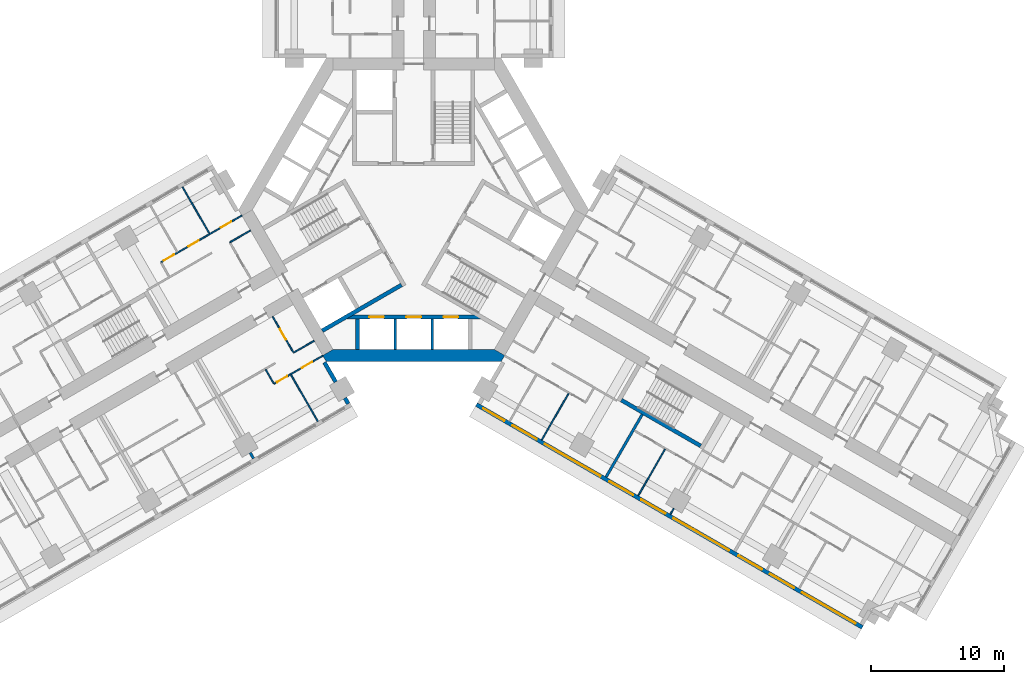
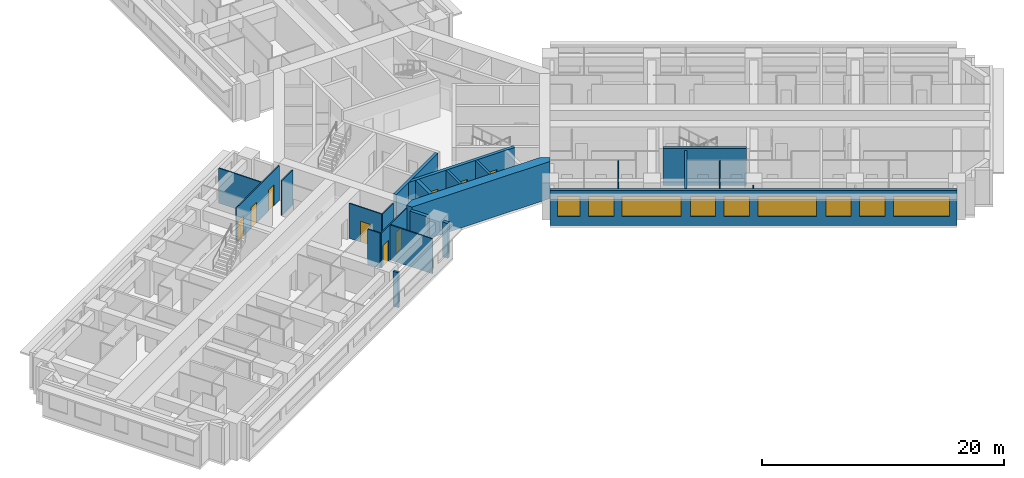
# One storey, part 6 of 16: 23 walls, 9 doors, 9 windows, 18 openings.
"""IFC4 building model written with IfcOpenShell, lengths in metres."""

from ifc_helpers import new_model, si_unit, direction, frame, frame_2d, origin, place, context, subcontext, project, spatial, polyline, rectangle, outline, extrude, material, layer, layer_set, type_object, element, fill, save


model = new_model("IFC4")

# Units and contexts
model_context = context("Model", 3, precision=1e-05, world=origin(), true_north=direction((0.0, 1.0)))
body_context = subcontext(model_context, "Body", "Model", "MODEL_VIEW")
ifc_project = project(units=[si_unit("LENGTHUNIT", "METRE"), si_unit("AREAUNIT", "SQUARE_METRE"), si_unit("VOLUMEUNIT", "CUBIC_METRE"), si_unit("PLANEANGLEUNIT", "RADIAN"), si_unit("MASSUNIT", "GRAM", prefix="KILO")], contexts=[model_context])

# Site, building, storey
site_placement = place(None, origin())
site = spatial("IfcSite", under=ifc_project, at=site_placement, CompositionType="ELEMENT")
building_placement = place(site_placement, origin())
building = spatial("IfcBuilding", under=site, at=building_placement, Name="Impinga Residences", CompositionType="ELEMENT")
storey_placement = place(building_placement, frame((0.0, 0.0, 71.0)))
storey = spatial("IfcBuildingStorey", under=building, at=storey_placement, Name="L17", CompositionType="ELEMENT", Elevation=71.0)

# Wall, openings, windows
ifc_material_1 = material(Name="Terracotta rainscreen on blockwork", Category="masonry")
ifc_layer_1 = layer(ifc_material_1, 0.300048828125)
ifc_layer_set_1 = layer_set([ifc_layer_1], Name="EW1 external wall, terracotta rainscreen on blockwork 300")
wall_type_1 = type_object("IfcWallType", Name="EW1 external wall, terracotta rainscreen on blockwork 300", PredefinedType="SOLIDWALL", material=ifc_layer_set_1)
wall_1_placement = place(storey_placement, frame((33.823486328125, -31.479248046875, 0.0), z_axis=(0.0, 0.0, 1.0), x_axis=(-0.866024291668, 0.500001926238, 0.0)))
wall_1 = element("IfcWall", 1, at=wall_1_placement, inside=storey, type_object=wall_type_1, Name="External wall EW1 L17", PredefinedType="SOLIDWALL", context=body_context, shape_type="SweptSolid", body=[
    extrude(rectangle(XDim=33.599853515625, YDim=0.300048828125, at=frame_2d((16.7998046875, 0.0))), origin(), (0.0, 0.0, 1.0), 3.530029296875),
])
opening_1_placement = place(wall_1_placement, frame((0.60009765625, 0.0, 0.89990234375)))
opening_1 = element("IfcOpeningElement", 2, at=opening_1_placement, cuts=wall_1, Name="Opening W10", PredefinedType="OPENING", context=body_context, shape_type="SweptSolid", body=[
    extrude(rectangle(XDim=4.64990234375, YDim=2.050048828125, at=frame_2d((2.324951171875, 1.02490234375))), frame((0.0, 0.159912109375, 0.0), z_axis=(0.0, -1.0, 0.0), x_axis=(1.0, 0.0, 0.0)), (0.0, 0.0, 1.0), 0.320068359375),
])
opening_2_placement = place(wall_1_placement, frame((5.949951171875, 0.0, 0.89990234375)))
opening_2 = element("IfcOpeningElement", 3, at=opening_2_placement, cuts=wall_1, Name="Opening W9", PredefinedType="OPENING", context=body_context, shape_type="SweptSolid", body=[
    extrude(rectangle(XDim=2.10009765625, YDim=2.050048828125, at=frame_2d((1.050048828125, 1.02490234375))), frame((0.0, 0.159912109375, 0.0), z_axis=(0.0, -1.0, 0.0), x_axis=(1.0, 0.0, 0.0)), (0.0, 0.0, 1.0), 0.320068359375),
])
opening_3_placement = place(wall_1_placement, frame((8.75, 0.0, 0.89990234375)))
opening_3 = element("IfcOpeningElement", 4, at=opening_3_placement, cuts=wall_1, Name="Opening W14", PredefinedType="OPENING", context=body_context, shape_type="SweptSolid", body=[
    extrude(rectangle(XDim=2.050048828125, YDim=2.050048828125, at=frame_2d((1.02490234375, 1.02490234375))), frame((0.0, 0.159912109375, 0.0), z_axis=(0.0, -1.0, 0.0), x_axis=(1.0, 0.0, 0.0)), (0.0, 0.0, 1.0), 0.320068359375),
])
opening_4_placement = place(wall_1_placement, frame((11.60009765625, 0.0, 0.89990234375)))
opening_4 = element("IfcOpeningElement", 5, at=opening_4_placement, cuts=wall_1, Name="Opening W6", PredefinedType="OPENING", context=body_context, shape_type="SweptSolid", body=[
    extrude(rectangle(XDim=4.85009765625, YDim=2.050048828125, at=frame_2d((2.425048828125, 1.02490234375))), frame((0.0, 0.159912109375, 0.0), z_axis=(0.0, -1.0, 0.0), x_axis=(1.0, 0.0, 0.0)), (0.0, 0.0, 1.0), 0.320068359375),
])
opening_5_placement = place(wall_1_placement, frame((17.14990234375, 0.0, 0.89990234375)))
opening_5 = element("IfcOpeningElement", 6, at=opening_5_placement, cuts=wall_1, Name="Opening W9", PredefinedType="OPENING", context=body_context, shape_type="SweptSolid", body=[
    extrude(rectangle(XDim=2.10009765625, YDim=2.050048828125, at=frame_2d((1.050048828125, 1.02490234375))), frame((0.0, 0.159912109375, 0.0), z_axis=(0.0, -1.0, 0.0), x_axis=(1.0, 0.0, 0.0)), (0.0, 0.0, 1.0), 0.320068359375),
])
opening_6_placement = place(wall_1_placement, frame((19.949951171875, 0.0, 0.89990234375)))
opening_6 = element("IfcOpeningElement", 7, at=opening_6_placement, cuts=wall_1, Name="Opening W14", PredefinedType="OPENING", context=body_context, shape_type="SweptSolid", body=[
    extrude(rectangle(XDim=2.050048828125, YDim=2.050048828125, at=frame_2d((1.02490234375, 1.02490234375))), frame((0.0, 0.159912109375, 0.0), z_axis=(0.0, -1.0, 0.0), x_axis=(1.0, 0.0, 0.0)), (0.0, 0.0, 1.0), 0.320068359375),
])
opening_7_placement = place(wall_1_placement, frame((22.800048828125, 0.0, 0.89990234375)))
opening_7 = element("IfcOpeningElement", 8, at=opening_7_placement, cuts=wall_1, Name="Opening W6", PredefinedType="OPENING", context=body_context, shape_type="SweptSolid", body=[
    extrude(rectangle(XDim=4.85009765625, YDim=2.050048828125, at=frame_2d((2.425048828125, 1.02490234375))), frame((0.0, 0.159912109375, 0.0), z_axis=(0.0, -1.0, 0.0), x_axis=(1.0, 0.0, 0.0)), (0.0, 0.0, 1.0), 0.320068359375),
])
opening_8_placement = place(wall_1_placement, frame((28.35009765625, 0.0, 0.89990234375)))
opening_8 = element("IfcOpeningElement", 9, at=opening_8_placement, cuts=wall_1, Name="Opening W9", PredefinedType="OPENING", context=body_context, shape_type="SweptSolid", body=[
    extrude(rectangle(XDim=2.10009765625, YDim=2.050048828125, at=frame_2d((1.050048828125, 1.02490234375))), frame((0.0, 0.159912109375, 0.0), z_axis=(0.0, -1.0, 0.0), x_axis=(1.0, 0.0, 0.0)), (0.0, 0.0, 1.0), 0.320068359375),
])
opening_9_placement = place(wall_1_placement, frame((31.14990234375, 0.0, 0.89990234375)))
opening_9 = element("IfcOpeningElement", 10, at=opening_9_placement, cuts=wall_1, Name="Opening W15", PredefinedType="OPENING", context=body_context, shape_type="SweptSolid", body=[
    extrude(rectangle(XDim=1.85009765625, YDim=2.050048828125, at=frame_2d((0.925048828125, 1.02490234375))), frame((0.0, 0.159912109375, 0.0), z_axis=(0.0, -1.0, 0.0), x_axis=(1.0, 0.0, 0.0)), (0.0, 0.0, 1.0), 0.320068359375),
])
ifc_material_2 = material(Name="Aluminium window, clear double glazing", Category="aluminium")
window_type_1 = type_object("IfcWindowType", Name="W10 ribbon window 4650x2050", PartitioningType="SINGLE_PANEL", PredefinedType="WINDOW", material=ifc_material_2)
window_1_placement = place(opening_1_placement, origin())
window_1 = element("IfcWindow", 11, at=window_1_placement, inside=storey, type_object=window_type_1, Name="Window L17", OverallHeight=2.050048828125, OverallWidth=4.64990234375, PartitioningType="SINGLE_PANEL", PredefinedType="WINDOW", context=body_context, shape_type="SweptSolid", body=[
    extrude(rectangle(XDim=4.64990234375, YDim=2.050048828125, at=frame_2d((2.324951171875, 1.02490234375))), frame((0.0, 0.030029296875, 0.0), z_axis=(0.0, -1.0, 0.0), x_axis=(1.0, 0.0, 0.0)), (0.0, 0.0, 1.0), 0.06005859375),
])
fill(opening_1, window_1)
window_type_2 = type_object("IfcWindowType", Name="W14 ribbon window 2050x2050", PartitioningType="SINGLE_PANEL", PredefinedType="WINDOW", material=ifc_material_2)
window_2_placement = place(opening_3_placement, origin())
window_2 = element("IfcWindow", 12, at=window_2_placement, inside=storey, type_object=window_type_2, Name="Window L17", OverallHeight=2.050048828125, OverallWidth=2.050048828125, PartitioningType="SINGLE_PANEL", PredefinedType="WINDOW", context=body_context, shape_type="SweptSolid", body=[
    extrude(rectangle(XDim=2.050048828125, YDim=2.050048828125, at=frame_2d((1.02490234375, 1.02490234375))), frame((0.0, 0.030029296875, 0.0), z_axis=(0.0, -1.0, 0.0), x_axis=(1.0, 0.0, 0.0)), (0.0, 0.0, 1.0), 0.06005859375),
])
fill(opening_3, window_2)
window_3_placement = place(opening_6_placement, origin())
window_3 = element("IfcWindow", 13, at=window_3_placement, inside=storey, type_object=window_type_2, Name="Window L17", OverallHeight=2.050048828125, OverallWidth=2.050048828125, PartitioningType="SINGLE_PANEL", PredefinedType="WINDOW", context=body_context, shape_type="SweptSolid", body=[
    extrude(rectangle(XDim=2.050048828125, YDim=2.050048828125, at=frame_2d((1.02490234375, 1.02490234375))), frame((0.0, 0.030029296875, 0.0), z_axis=(0.0, -1.0, 0.0), x_axis=(1.0, 0.0, 0.0)), (0.0, 0.0, 1.0), 0.06005859375),
])
fill(opening_6, window_3)
window_type_3 = type_object("IfcWindowType", Name="W15 ribbon window 1850x2050", PartitioningType="SINGLE_PANEL", PredefinedType="WINDOW", material=ifc_material_2)
window_4_placement = place(opening_9_placement, origin())
window_4 = element("IfcWindow", 14, at=window_4_placement, inside=storey, type_object=window_type_3, Name="Window L17", OverallHeight=2.050048828125, OverallWidth=1.85009765625, PartitioningType="SINGLE_PANEL", PredefinedType="WINDOW", context=body_context, shape_type="SweptSolid", body=[
    extrude(rectangle(XDim=1.85009765625, YDim=2.050048828125, at=frame_2d((0.925048828125, 1.02490234375))), frame((0.0, 0.030029296875, 0.0), z_axis=(0.0, -1.0, 0.0), x_axis=(1.0, 0.0, 0.0)), (0.0, 0.0, 1.0), 0.06005859375),
])
fill(opening_9, window_4)
window_type_4 = type_object("IfcWindowType", Name="W6 ribbon window 4850x2050", PartitioningType="SINGLE_PANEL", PredefinedType="WINDOW", material=ifc_material_2)
window_5_placement = place(opening_4_placement, origin())
window_5 = element("IfcWindow", 15, at=window_5_placement, inside=storey, type_object=window_type_4, Name="Window L17", OverallHeight=2.050048828125, OverallWidth=4.85009765625, PartitioningType="SINGLE_PANEL", PredefinedType="WINDOW", context=body_context, shape_type="SweptSolid", body=[
    extrude(rectangle(XDim=4.85009765625, YDim=2.050048828125, at=frame_2d((2.425048828125, 1.02490234375))), frame((0.0, 0.030029296875, 0.0), z_axis=(0.0, -1.0, 0.0), x_axis=(1.0, 0.0, 0.0)), (0.0, 0.0, 1.0), 0.06005859375),
])
fill(opening_4, window_5)
window_6_placement = place(opening_7_placement, origin())
window_6 = element("IfcWindow", 16, at=window_6_placement, inside=storey, type_object=window_type_4, Name="Window L17", OverallHeight=2.050048828125, OverallWidth=4.85009765625, PartitioningType="SINGLE_PANEL", PredefinedType="WINDOW", context=body_context, shape_type="SweptSolid", body=[
    extrude(rectangle(XDim=4.85009765625, YDim=2.050048828125, at=frame_2d((2.425048828125, 1.02490234375))), frame((0.0, 0.030029296875, 0.0), z_axis=(0.0, -1.0, 0.0), x_axis=(1.0, 0.0, 0.0)), (0.0, 0.0, 1.0), 0.06005859375),
])
fill(opening_7, window_6)
window_type_5 = type_object("IfcWindowType", Name="W9 ribbon window 2100x2050", PartitioningType="SINGLE_PANEL", PredefinedType="WINDOW", material=ifc_material_2)
window_7_placement = place(opening_2_placement, origin())
window_7 = element("IfcWindow", 17, at=window_7_placement, inside=storey, type_object=window_type_5, Name="Window L17", OverallHeight=2.050048828125, OverallWidth=2.10009765625, PartitioningType="SINGLE_PANEL", PredefinedType="WINDOW", context=body_context, shape_type="SweptSolid", body=[
    extrude(rectangle(XDim=2.10009765625, YDim=2.050048828125, at=frame_2d((1.050048828125, 1.02490234375))), frame((0.0, 0.030029296875, 0.0), z_axis=(0.0, -1.0, 0.0), x_axis=(1.0, 0.0, 0.0)), (0.0, 0.0, 1.0), 0.06005859375),
])
fill(opening_2, window_7)
window_8_placement = place(opening_5_placement, origin())
window_8 = element("IfcWindow", 18, at=window_8_placement, inside=storey, type_object=window_type_5, Name="Window L17", OverallHeight=2.050048828125, OverallWidth=2.10009765625, PartitioningType="SINGLE_PANEL", PredefinedType="WINDOW", context=body_context, shape_type="SweptSolid", body=[
    extrude(rectangle(XDim=2.10009765625, YDim=2.050048828125, at=frame_2d((1.050048828125, 1.02490234375))), frame((0.0, 0.030029296875, 0.0), z_axis=(0.0, -1.0, 0.0), x_axis=(1.0, 0.0, 0.0)), (0.0, 0.0, 1.0), 0.06005859375),
])
fill(opening_5, window_8)
window_9_placement = place(opening_8_placement, origin())
window_9 = element("IfcWindow", 19, at=window_9_placement, inside=storey, type_object=window_type_5, Name="Window L17", OverallHeight=2.050048828125, OverallWidth=2.10009765625, PartitioningType="SINGLE_PANEL", PredefinedType="WINDOW", context=body_context, shape_type="SweptSolid", body=[
    extrude(rectangle(XDim=2.10009765625, YDim=2.050048828125, at=frame_2d((1.050048828125, 1.02490234375))), frame((0.0, 0.030029296875, 0.0), z_axis=(0.0, -1.0, 0.0), x_axis=(1.0, 0.0, 0.0)), (0.0, 0.0, 1.0), 0.06005859375),
])
fill(opening_8, window_9)

# Walls
wall_2_placement = place(storey_placement, frame((-6.72998046875, -11.506591796875, 0.0), z_axis=(0.0, 0.0, 1.0), x_axis=(0.500062241894, -0.865989465428, 0.0)))
element("IfcWall", 20, at=wall_2_placement, inside=storey, type_object=wall_type_1, Name="External wall EW1 L17", PredefinedType="SOLIDWALL", context=body_context, shape_type="SweptSolid", body=[
    extrude(rectangle(XDim=1.699951171875, YDim=0.300048828125, at=frame_2d((0.85009765625, 0.0))), origin(), (0.0, 0.0, 1.0), 3.530029296875),
])
wall_3_placement = place(storey_placement, frame((-5.179931640625, -14.191162109375, 0.0), z_axis=(0.0, 0.0, 1.0), x_axis=(0.499919672301, -0.866071776036, 0.0)))
element("IfcWall", 21, at=wall_3_placement, inside=storey, type_object=wall_type_1, Name="External wall EW1 L17", PredefinedType="SOLIDWALL", context=body_context, shape_type="SweptSolid", body=[
    extrude(rectangle(XDim=0.5, YDim=0.300048828125, at=frame_2d((0.25, 0.0))), origin(), (0.0, 0.0, 1.0), 3.530029296875),
])
ifc_material_3 = material(Name="Gypsum board on steel studs", Category="steel")
ifc_layer_2 = layer(ifc_material_3, 0.10009765625)
ifc_layer_set_2 = layer_set([ifc_layer_2], Name="Gypsum board on steel studs")
wall_type_2 = type_object("IfcWallType", Name="IP1 partition 100", PredefinedType="PARTITIONING", material=ifc_layer_set_2)
wall_4_placement = place(storey_placement, frame((-7.5, -9.872802734375, 0.0), z_axis=(0.0, 0.0, 1.0), x_axis=(-0.866047807691, -0.499961193289, 0.0)))
element("IfcWall", 22, at=wall_4_placement, inside=storey, type_object=wall_type_2, Name="Partition L17-WA1:DIV0", PredefinedType="PARTITIONING", context=body_context, shape_type="SweptSolid", body=[
    extrude(rectangle(XDim=1.800048828125, YDim=0.10009765625, at=frame_2d((0.89990234375, 0.0))), origin(), (0.0, 0.0, 1.0), 3.530029296875),
])

# Wall, openings, doors
wall_5_placement = place(storey_placement, frame((-6.85009765625, -10.99853515625, 0.0), z_axis=(0.0, 0.0, 1.0), x_axis=(-0.866014341725, -0.50001915956, 0.0)))
wall_5 = element("IfcWall", 23, at=wall_5_placement, inside=storey, type_object=wall_type_2, Name="Partition L17-WA1:STRIP", PredefinedType="PARTITIONING", context=body_context, shape_type="SweptSolid", body=[
    extrude(rectangle(XDim=4.249755859375, YDim=0.10009765625, at=frame_2d((2.125, 0.0))), origin(), (0.0, 0.0, 1.0), 3.530029296875),
])
opening_10_placement = place(wall_5_placement, frame((0.925048828125, 0.0, 0.0)))
opening_10 = element("IfcOpeningElement", 24, at=opening_10_placement, cuts=wall_5, Name="Opening D2", PredefinedType="OPENING", context=body_context, shape_type="SweptSolid", body=[
    extrude(rectangle(XDim=0.89990234375, YDim=2.10009765625, at=frame_2d((0.449951171875, 1.050048828125))), frame((0.0, 0.06005859375, 0.0), z_axis=(0.0, -1.0, 0.0), x_axis=(1.0, 0.0, 0.0)), (0.0, 0.0, 1.0), 0.1201171875),
])
opening_11_placement = place(wall_5_placement, frame((3.10009765625, 0.0, 0.0)))
opening_11 = element("IfcOpeningElement", 25, at=opening_11_placement, cuts=wall_5, Name="Opening D2", PredefinedType="OPENING", context=body_context, shape_type="SweptSolid", body=[
    extrude(rectangle(XDim=0.89990234375, YDim=2.10009765625, at=frame_2d((0.449951171875, 1.050048828125))), frame((0.0, 0.06005859375, 0.0), z_axis=(0.0, -1.0, 0.0), x_axis=(1.0, 0.0, 0.0)), (0.0, 0.0, 1.0), 0.1201171875),
])
ifc_material_4 = material(Name="Timber door set", Category="wood")
door_type_1 = type_object("IfcDoorType", Name="D2 internal door 900x2100", OperationType="SINGLE_SWING_LEFT", PredefinedType="DOOR", material=ifc_material_4)
door_1_placement = place(opening_10_placement, origin())
door_1 = element("IfcDoor", 26, at=door_1_placement, inside=storey, type_object=door_type_1, Name="Apartment L17-WA1 room door", OperationType="SINGLE_SWING_LEFT", OverallHeight=2.10009765625, OverallWidth=0.89990234375, PredefinedType="DOOR", context=body_context, shape_type="SweptSolid", body=[
    extrude(rectangle(XDim=0.89990234375, YDim=2.10009765625, at=frame_2d((0.449951171875, 1.050048828125))), frame((0.0, 0.02490234375, 0.0), z_axis=(0.0, -1.0, 0.0), x_axis=(1.0, 0.0, 0.0)), (0.0, 0.0, 1.0), 0.050048828125),
])
fill(opening_10, door_1)
door_2_placement = place(opening_11_placement, origin())
door_2 = element("IfcDoor", 27, at=door_2_placement, inside=storey, type_object=door_type_1, Name="Apartment L17-WA1 room door", OperationType="SINGLE_SWING_RIGHT", OverallHeight=2.10009765625, OverallWidth=0.89990234375, PredefinedType="DOOR", context=body_context, shape_type="SweptSolid", body=[
    extrude(rectangle(XDim=0.89990234375, YDim=2.10009765625, at=frame_2d((0.449951171875, 1.050048828125))), frame((0.0, 0.02490234375, 0.0), z_axis=(0.0, -1.0, 0.0), x_axis=(1.0, 0.0, 0.0)), (0.0, 0.0, 1.0), 0.050048828125),
])
fill(opening_11, door_2)

# Wall
wall_6_placement = place(storey_placement, frame((-11.155517578125, -12.041015625, 0.0), z_axis=(0.0, 0.0, 1.0), x_axis=(0.499880961361, -0.866094119867, 0.0)))
element("IfcWall", 28, at=wall_6_placement, inside=storey, type_object=wall_type_2, Name="Partition L17-WA1:SE1", PredefinedType="PARTITIONING", context=body_context, shape_type="SweptSolid", body=[
    extrude(rectangle(XDim=1.199951171875, YDim=0.10009765625, at=frame_2d((0.60009765625, 0.0))), origin(), (0.0, 0.0, 1.0), 3.530029296875),
])

# Wall, opening, door
wall_7_placement = place(storey_placement, frame((-10.6337890625, -8.044677734375, 0.0), z_axis=(0.0, 0.0, 1.0), x_axis=(0.49999285859, -0.86602952684, 0.0)))
wall_7 = element("IfcWall", 29, at=wall_7_placement, inside=storey, type_object=wall_type_2, Name="Partition L17-WA1:IB1", PredefinedType="PARTITIONING", context=body_context, shape_type="SweptSolid", body=[
    extrude(rectangle(XDim=3.10009765625, YDim=0.10009765625, at=frame_2d((1.550048828125, 0.0))), origin(), (0.0, 0.0, 1.0), 3.530029296875),
])
opening_12_placement = place(wall_7_placement, frame((1.10009765625, 0.0, 0.0)))
opening_12 = element("IfcOpeningElement", 30, at=opening_12_placement, cuts=wall_7, Name="Opening D2", PredefinedType="OPENING", context=body_context, shape_type="SweptSolid", body=[
    extrude(rectangle(XDim=0.89990234375, YDim=2.10009765625, at=frame_2d((0.449951171875, 1.050048828125))), frame((0.0, 0.06005859375, 0.0), z_axis=(0.0, -1.0, 0.0), x_axis=(1.0, 0.0, 0.0)), (0.0, 0.0, 1.0), 0.1201171875),
])
door_3_placement = place(opening_12_placement, origin())
door_3 = element("IfcDoor", 31, at=door_3_placement, inside=storey, type_object=door_type_1, Name="Apartment L17-WA1 bathroom door", OperationType="SINGLE_SWING_LEFT", OverallHeight=2.10009765625, OverallWidth=0.89990234375, PredefinedType="DOOR", context=body_context, shape_type="SweptSolid", body=[
    extrude(rectangle(XDim=0.89990234375, YDim=2.10009765625, at=frame_2d((0.449951171875, 1.050048828125))), frame((0.0, 0.02490234375, 0.0), z_axis=(0.0, -1.0, 0.0), x_axis=(1.0, 0.0, 0.0)), (0.0, 0.0, 1.0), 0.050048828125),
])
fill(opening_12, door_3)

# Walls
wall_8_placement = place(storey_placement, frame((-9.249755859375, -12.44189453125, 0.0), z_axis=(0.0, 0.0, 1.0), x_axis=(0.499990325971, -0.866030989016, 0.0)))
element("IfcWall", 32, at=wall_8_placement, inside=storey, type_object=wall_type_2, Name="Partition L17-WA1:OB1", PredefinedType="PARTITIONING", context=body_context, shape_type="SweptSolid", body=[
    extrude(rectangle(XDim=4.0498046875, YDim=0.10009765625, at=frame_2d((2.02490234375, 0.0))), origin(), (0.0, 0.0, 1.0), 3.530029296875),
])
wall_9_placement = place(storey_placement, frame((-12.300048828125, -1.558837890625, 0.0), z_axis=(0.0, 0.0, 1.0), x_axis=(-0.866047807691, -0.499961193289, 0.0)))
element("IfcWall", 33, at=wall_9_placement, inside=storey, type_object=wall_type_2, Name="Partition L17-WF1:DIV0", PredefinedType="PARTITIONING", context=body_context, shape_type="SweptSolid", body=[
    extrude(rectangle(XDim=1.800048828125, YDim=0.10009765625, at=frame_2d((0.89990234375, 0.0))), origin(), (0.0, 0.0, 1.0), 3.530029296875),
])

# Wall, openings, doors
wall_10_placement = place(storey_placement, frame((-12.949951171875, -0.43310546875, 0.0), z_axis=(0.0, 0.0, 1.0), x_axis=(-0.866031034943, -0.499990246421, 0.0)))
wall_10 = element("IfcWall", 34, at=wall_10_placement, inside=storey, type_object=wall_type_2, Name="Partition L17-WF1:STRIP", PredefinedType="PARTITIONING", context=body_context, shape_type="SweptSolid", body=[
    extrude(rectangle(XDim=7.050048828125, YDim=0.10009765625, at=frame_2d((3.52490234375, 0.0))), origin(), (0.0, 0.0, 1.0), 3.530029296875),
])
opening_13_placement = place(wall_10_placement, frame((0.925048828125, 0.0, 0.0)))
opening_13 = element("IfcOpeningElement", 35, at=opening_13_placement, cuts=wall_10, Name="Opening D2", PredefinedType="OPENING", context=body_context, shape_type="SweptSolid", body=[
    extrude(rectangle(XDim=0.89990234375, YDim=2.10009765625, at=frame_2d((0.449951171875, 1.050048828125))), frame((0.0, 0.06005859375, 0.0), z_axis=(0.0, -1.0, 0.0), x_axis=(1.0, 0.0, 0.0)), (0.0, 0.0, 1.0), 0.1201171875),
])
opening_14_placement = place(wall_10_placement, frame((3.75, 0.0, 0.0)))
opening_14 = element("IfcOpeningElement", 36, at=opening_14_placement, cuts=wall_10, Name="Opening D2", PredefinedType="OPENING", context=body_context, shape_type="SweptSolid", body=[
    extrude(rectangle(XDim=0.89990234375, YDim=2.10009765625, at=frame_2d((0.449951171875, 1.050048828125))), frame((0.0, 0.06005859375, 0.0), z_axis=(0.0, -1.0, 0.0), x_axis=(1.0, 0.0, 0.0)), (0.0, 0.0, 1.0), 0.1201171875),
])
opening_15_placement = place(wall_10_placement, frame((5.89990234375, 0.0, 0.0)))
opening_15 = element("IfcOpeningElement", 37, at=opening_15_placement, cuts=wall_10, Name="Opening D2", PredefinedType="OPENING", context=body_context, shape_type="SweptSolid", body=[
    extrude(rectangle(XDim=0.89990234375, YDim=2.10009765625, at=frame_2d((0.449951171875, 1.050048828125))), frame((0.0, 0.06005859375, 0.0), z_axis=(0.0, -1.0, 0.0), x_axis=(1.0, 0.0, 0.0)), (0.0, 0.0, 1.0), 0.1201171875),
])
door_4_placement = place(opening_13_placement, origin())
door_4 = element("IfcDoor", 38, at=door_4_placement, inside=storey, type_object=door_type_1, Name="Apartment L17-WF1 room door", OperationType="SINGLE_SWING_LEFT", OverallHeight=2.10009765625, OverallWidth=0.89990234375, PredefinedType="DOOR", context=body_context, shape_type="SweptSolid", body=[
    extrude(rectangle(XDim=0.89990234375, YDim=2.10009765625, at=frame_2d((0.449951171875, 1.050048828125))), frame((0.0, 0.02490234375, 0.0), z_axis=(0.0, -1.0, 0.0), x_axis=(1.0, 0.0, 0.0)), (0.0, 0.0, 1.0), 0.050048828125),
])
fill(opening_13, door_4)
door_5_placement = place(opening_14_placement, origin())
door_5 = element("IfcDoor", 39, at=door_5_placement, inside=storey, type_object=door_type_1, Name="Apartment L17-WF1 room door", OperationType="SINGLE_SWING_RIGHT", OverallHeight=2.10009765625, OverallWidth=0.89990234375, PredefinedType="DOOR", context=body_context, shape_type="SweptSolid", body=[
    extrude(rectangle(XDim=0.89990234375, YDim=2.10009765625, at=frame_2d((0.449951171875, 1.050048828125))), frame((0.0, 0.02490234375, 0.0), z_axis=(0.0, -1.0, 0.0), x_axis=(1.0, 0.0, 0.0)), (0.0, 0.0, 1.0), 0.050048828125),
])
fill(opening_14, door_5)
door_6_placement = place(opening_15_placement, origin())
door_6 = element("IfcDoor", 40, at=door_6_placement, inside=storey, type_object=door_type_1, Name="Apartment L17-WF1 room door", OperationType="SINGLE_SWING_RIGHT", OverallHeight=2.10009765625, OverallWidth=0.89990234375, PredefinedType="DOOR", context=body_context, shape_type="SweptSolid", body=[
    extrude(rectangle(XDim=0.89990234375, YDim=2.10009765625, at=frame_2d((0.449951171875, 1.050048828125))), frame((0.0, 0.02490234375, 0.0), z_axis=(0.0, -1.0, 0.0), x_axis=(1.0, 0.0, 0.0)), (0.0, 0.0, 1.0), 0.050048828125),
])
fill(opening_15, door_6)

# Walls
for number, where, z_axis, x_axis, name in (
    (41, (-15.39990234375, -1.789794921875, 0.0), (0.0, 0.0, 1.0), (-0.499964223975, 0.866046058097, 0.0), "Partition L17-WF1:OB1"),
    (42, (11.6748046875, -13.841796875, 0.0), (0.0, 0.0, 1.0), (-0.500035537042, -0.866004885491, 0.0), "Partition L17-EF1:OB2"),
):
    element("IfcWall", number, at=place(storey_placement, frame(where, z_axis=z_axis, x_axis=x_axis)), inside=storey, type_object=wall_type_2, Name=name, PredefinedType="PARTITIONING", context=body_context, shape_type="SweptSolid", body=[
        extrude(rectangle(XDim=4.050048828125, YDim=0.10009765625, at=frame_2d((2.02490234375, 0.0))), origin(), (0.0, 0.0, 1.0), 3.530029296875),
    ])
wall_11_placement = place(storey_placement, frame((18.949462890625, -18.041748046875, 0.0), z_axis=(0.0, 0.0, 1.0), x_axis=(-0.50000943426, -0.866019956843, 0.0)))
element("IfcWall", 43, at=wall_11_placement, inside=storey, type_object=wall_type_2, Name="Partition L17-EF2:OB1", PredefinedType="PARTITIONING", context=body_context, shape_type="SweptSolid", body=[
    extrude(rectangle(XDim=4.05029296875, YDim=0.10009765625, at=frame_2d((2.025146484375, 0.0))), origin(), (0.0, 0.0, 1.0), 3.530029296875),
])
wall_12_placement = place(storey_placement, frame((19.59912109375, -22.51611328125, 0.0), z_axis=(0.0, 0.0, 1.0), x_axis=(-0.499919672301, -0.866071776036, 0.0)))
element("IfcWall", 44, at=wall_12_placement, inside=storey, type_object=wall_type_2, Name="Partition L17-EF2:OB2b", PredefinedType="PARTITIONING", context=body_context, shape_type="SweptSolid", body=[
    extrude(rectangle(XDim=0.5, YDim=0.10009765625, at=frame_2d((0.25, 0.0))), origin(), (0.0, 0.0, 1.0), 3.530029296875),
])
ifc_material_5 = material(Name="Concrete blockwork", Category="masonry")
ifc_layer_3 = layer(ifc_material_5, 0.199951171875)
ifc_layer_set_3 = layer_set([ifc_layer_3], Name="PW1 party wall between apartments 200")
wall_type_3 = type_object("IfcWallType", Name="PW1 party wall between apartments 200", PredefinedType="SOLIDWALL", material=ifc_layer_set_3)
wall_13_placement = place(storey_placement, frame((-12.32470703125, -18.316162109375, 0.0), z_axis=(0.0, 0.0, 1.0), x_axis=(0.499919672301, -0.866071776036, 0.0)))
element("IfcWall", 45, at=wall_13_placement, inside=storey, type_object=wall_type_3, Name="Party wall between apartments L17-WA1:PARTYb", PredefinedType="SOLIDWALL", context=body_context, shape_type="SweptSolid", body=[
    extrude(rectangle(XDim=0.5, YDim=0.199951171875, at=frame_2d((0.25, 0.0))), origin(), (0.0, 0.0, 1.0), 3.530029296875),
])
wall_14_placement = place(storey_placement, frame((17.224365234375, -15.429443359375, 0.0), z_axis=(0.0, 0.0, 1.0), x_axis=(-0.499988730927, -0.866031909889, 0.0)))
element("IfcWall", 46, at=wall_14_placement, inside=storey, type_object=wall_type_3, Name="Party wall between apartments L17-EF1:PARTY", PredefinedType="SOLIDWALL", context=body_context, shape_type="SweptSolid", body=[
    extrude(rectangle(XDim=5.449951171875, YDim=0.199951171875, at=frame_2d((2.72509765625, 0.0))), origin(), (0.0, 0.0, 1.0), 3.530029296875),
])
ifc_material_6 = material(Name="Concrete C60/75", Category="concrete")
ifc_layer_4 = layer(ifc_material_6, 0.300048828125)
ifc_layer_set_4 = layer_set([ifc_layer_4], Name="Concrete C60/75")
wall_type_4 = type_object("IfcWallType", Name="SE1 wing stair enclosure wall 300", PredefinedType="SOLIDWALL", material=ifc_layer_set_4)
wall_15_placement = place(storey_placement, frame((15.654052734375, -14.349365234375, 0.0), z_axis=(0.0, 0.0, 1.0), x_axis=(0.866013532718, -0.500020560727, 0.0)))
element("IfcWall", 47, at=wall_15_placement, inside=storey, type_object=wall_type_4, Name="Stair enclosure wall SE1 E OUT L17", PredefinedType="SOLIDWALL", context=body_context, shape_type="SweptSolid", body=[
    extrude(rectangle(XDim=6.900146484375, YDim=0.300048828125, at=frame_2d((3.4501953125, 0.0))), origin(), (0.0, 0.0, 1.0), 3.75),
])
ifc_material_7 = material(Name="Concrete C70/85", Category="concrete")
ifc_layer_5 = layer(ifc_material_7, 0.89990234375)
ifc_layer_set_5 = layer_set([ifc_layer_5], Name="Concrete C70/85")
wall_type_5 = type_object("IfcWallType", Name="SW1 core wall 900", PredefinedType="SHEAR", material=ifc_layer_set_5)
wall_16_placement = place(storey_placement, origin())
element("IfcWall", 48, at=wall_16_placement, inside=storey, type_object=wall_type_5, Name="Core wall SW1 N:EXPOSED L17", PredefinedType="SHEAR", context=body_context, shape_type="SweptSolid", body=[
    extrude(outline(polyline([(-6.60009765625, -11.431640625), (6.60009765625, -11.431640625), (6.85986328125, -10.9814453125), (6.080322265625, -10.531494140625), (-6.080322265625, -10.531494140625), (-6.85986328125, -10.9814453125), (-6.60009765625, -11.431640625)])), origin(), (0.0, 0.0, 1.0), 3.75),
])
ifc_layer_6 = layer(ifc_material_7, 0.300048828125)
ifc_layer_set_6 = layer_set([ifc_layer_6], Name="Concrete C70/85")
wall_type_6 = type_object("IfcWallType", Name="SW5 core inner wall, stairs, shafts and lobbies 300", PredefinedType="SHEAR", material=ifc_layer_set_6)
wall_17_placement = place(storey_placement, frame((-0.918701171875, -5.668701171875, 0.0), z_axis=(0.0, 0.0, 1.0), x_axis=(-0.866011800373, -0.500023561059, 0.0)))
element("IfcWall", 49, at=wall_17_placement, inside=storey, type_object=wall_type_6, Name="Core wall SW5 W:FF-OUT L17", PredefinedType="SHEAR", context=body_context, shape_type="SweptSolid", body=[
    extrude(rectangle(XDim=6.901611328125, YDim=0.300048828125, at=frame_2d((3.45068359375, 0.0))), origin(), (0.0, 0.0, 1.0), 3.75),
])

# Wall, openings, doors
wall_18_placement = place(storey_placement, frame((5.09765625, -8.08154296875, 0.0), z_axis=(0.0, 0.0, 1.0), x_axis=(-1.0, 0.0, 0.0)))
wall_18 = element("IfcWall", 50, at=wall_18_placement, inside=storey, type_object=wall_type_6, Name="Core wall SW5 N:BANK-FRONT L17", PredefinedType="SHEAR", context=body_context, shape_type="SweptSolid", body=[
    extrude(rectangle(XDim=10.1953125, YDim=0.300048828125, at=frame_2d((5.09765625, 0.0))), origin(), (0.0, 0.0, 1.0), 3.75),
])
opening_16_placement = place(wall_18_placement, frame((1.74755859375, 0.0, 0.0)))
opening_16 = element("IfcOpeningElement", 51, at=opening_16_placement, cuts=wall_18, Name="Opening LD1", PredefinedType="OPENING", context=body_context, shape_type="SweptSolid", body=[
    extrude(rectangle(XDim=1.10009765625, YDim=2.10009765625, at=frame_2d((0.550048828125, 1.050048828125))), frame((0.0, 0.159912109375, 0.0), z_axis=(0.0, -1.0, 0.0), x_axis=(1.0, 0.0, 0.0)), (0.0, 0.0, 1.0), 0.320068359375),
])
opening_17_placement = place(wall_18_placement, frame((4.547607421875, 0.0, 0.0)))
opening_17 = element("IfcOpeningElement", 52, at=opening_17_placement, cuts=wall_18, Name="Opening LD1", PredefinedType="OPENING", context=body_context, shape_type="SweptSolid", body=[
    extrude(rectangle(XDim=1.10009765625, YDim=2.10009765625, at=frame_2d((0.550048828125, 1.050048828125))), frame((0.0, 0.159912109375, 0.0), z_axis=(0.0, -1.0, 0.0), x_axis=(1.0, 0.0, 0.0)), (0.0, 0.0, 1.0), 0.320068359375),
])
opening_18_placement = place(wall_18_placement, frame((7.34765625, 0.0, 0.0)))
opening_18 = element("IfcOpeningElement", 53, at=opening_18_placement, cuts=wall_18, Name="Opening LD1", PredefinedType="OPENING", context=body_context, shape_type="SweptSolid", body=[
    extrude(rectangle(XDim=1.10009765625, YDim=2.10009765625, at=frame_2d((0.550048828125, 1.050048828125))), frame((0.0, 0.159912109375, 0.0), z_axis=(0.0, -1.0, 0.0), x_axis=(1.0, 0.0, 0.0)), (0.0, 0.0, 1.0), 0.320068359375),
])
ifc_material_8 = material(Name="Steel lift landing door", Category="steel")
door_type_2 = type_object("IfcDoorType", Name="LD1 passenger lift landing door 1100x2100", OperationType="DOUBLE_DOOR_SLIDING", PredefinedType="DOOR", material=ifc_material_8)
door_7_placement = place(opening_16_placement, origin())
door_7 = element("IfcDoor", 54, at=door_7_placement, inside=storey, type_object=door_type_2, Name="Lift landing door P1", OperationType="DOUBLE_DOOR_SLIDING", OverallHeight=2.10009765625, OverallWidth=1.10009765625, PredefinedType="DOOR", context=body_context, shape_type="SweptSolid", body=[
    extrude(rectangle(XDim=1.10009765625, YDim=2.10009765625, at=frame_2d((0.550048828125, 1.050048828125))), frame((0.0, 0.02490234375, 0.0), z_axis=(0.0, -1.0, 0.0), x_axis=(1.0, 0.0, 0.0)), (0.0, 0.0, 1.0), 0.050048828125),
])
fill(opening_16, door_7)
door_8_placement = place(opening_17_placement, origin())
door_8 = element("IfcDoor", 55, at=door_8_placement, inside=storey, type_object=door_type_2, Name="Lift landing door P2", OperationType="DOUBLE_DOOR_SLIDING", OverallHeight=2.10009765625, OverallWidth=1.10009765625, PredefinedType="DOOR", context=body_context, shape_type="SweptSolid", body=[
    extrude(rectangle(XDim=1.10009765625, YDim=2.10009765625, at=frame_2d((0.550048828125, 1.050048828125))), frame((0.0, 0.02490234375, 0.0), z_axis=(0.0, -1.0, 0.0), x_axis=(1.0, 0.0, 0.0)), (0.0, 0.0, 1.0), 0.050048828125),
])
fill(opening_17, door_8)
door_9_placement = place(opening_18_placement, origin())
door_9 = element("IfcDoor", 56, at=door_9_placement, inside=storey, type_object=door_type_2, Name="Lift landing door P3", OperationType="DOUBLE_DOOR_SLIDING", OverallHeight=2.10009765625, OverallWidth=1.10009765625, PredefinedType="DOOR", context=body_context, shape_type="SweptSolid", body=[
    extrude(rectangle(XDim=1.10009765625, YDim=2.10009765625, at=frame_2d((0.550048828125, 1.050048828125))), frame((0.0, 0.02490234375, 0.0), z_axis=(0.0, -1.0, 0.0), x_axis=(1.0, 0.0, 0.0)), (0.0, 0.0, 1.0), 0.050048828125),
])
fill(opening_18, door_9)

# Walls
wall_19_placement = place(storey_placement, frame((-4.25, -8.2314453125, 0.0), z_axis=(0.0, 0.0, 1.0), x_axis=(0.0, -1.0, 0.0)))
element("IfcWall", 57, at=wall_19_placement, inside=storey, type_object=wall_type_6, Name="Core wall SW5 N:BANK-R L17", PredefinedType="SHEAR", context=body_context, shape_type="SweptSolid", body=[
    extrude(rectangle(XDim=2.300048828125, YDim=0.300048828125, at=frame_2d((1.14990234375, 0.0))), origin(), (0.0, 0.0, 1.0), 3.75),
])
ifc_layer_7 = layer(ifc_material_7, 0.199951171875)
ifc_layer_set_7 = layer_set([ifc_layer_7], Name="Concrete C70/85")
wall_type_7 = type_object("IfcWallType", Name="SW6 lift shaft divider wall 200", PredefinedType="SHEAR", material=ifc_layer_set_7)
for number, where, z_axis, x_axis, name in (
    (58, (1.39990234375, -8.2314453125, 0.0), (0.0, 0.0, 1.0), (0.0, -1.0, 0.0), "Core wall SW6 N:BANK-D1 L17"),
    (59, (-1.39990234375, -8.2314453125, 0.0), (0.0, 0.0, 1.0), (0.0, -1.0, 0.0), "Core wall SW6 N:BANK-D2 L17"),
):
    element("IfcWall", number, at=place(storey_placement, frame(where, z_axis=z_axis, x_axis=x_axis)), inside=storey, type_object=wall_type_7, Name=name, PredefinedType="SHEAR", context=body_context, shape_type="SweptSolid", body=[
        extrude(rectangle(XDim=2.300048828125, YDim=0.199951171875, at=frame_2d((1.14990234375, 0.0))), origin(), (0.0, 0.0, 1.0), 3.75),
    ])

save(model, "model.ifc")
